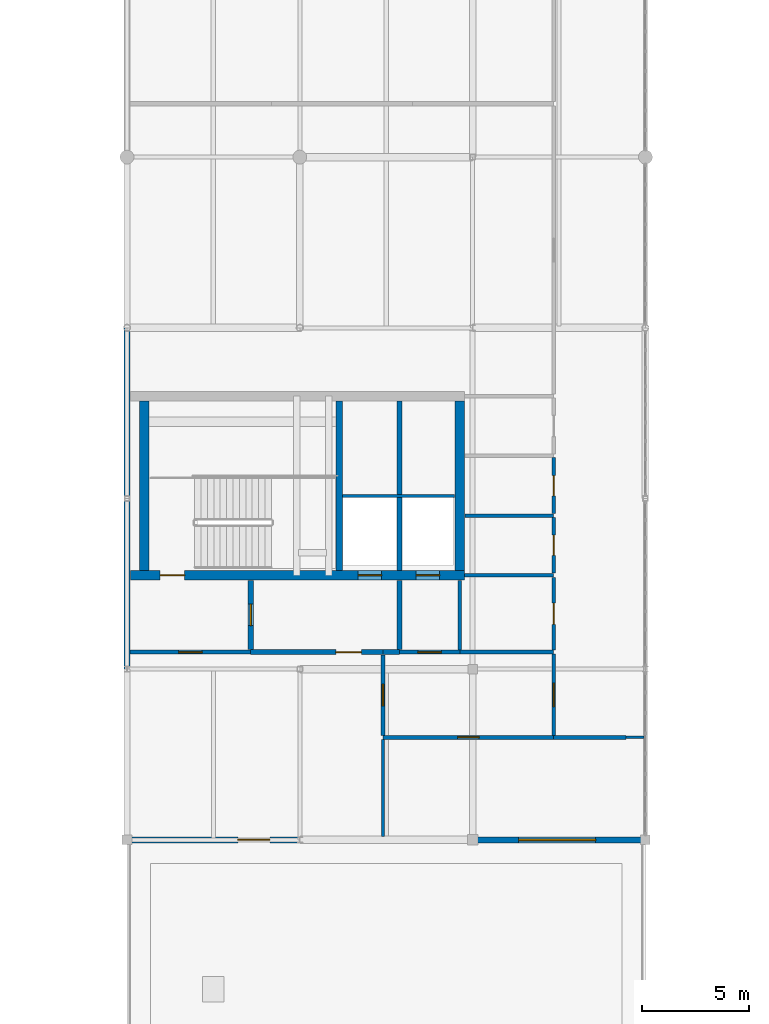
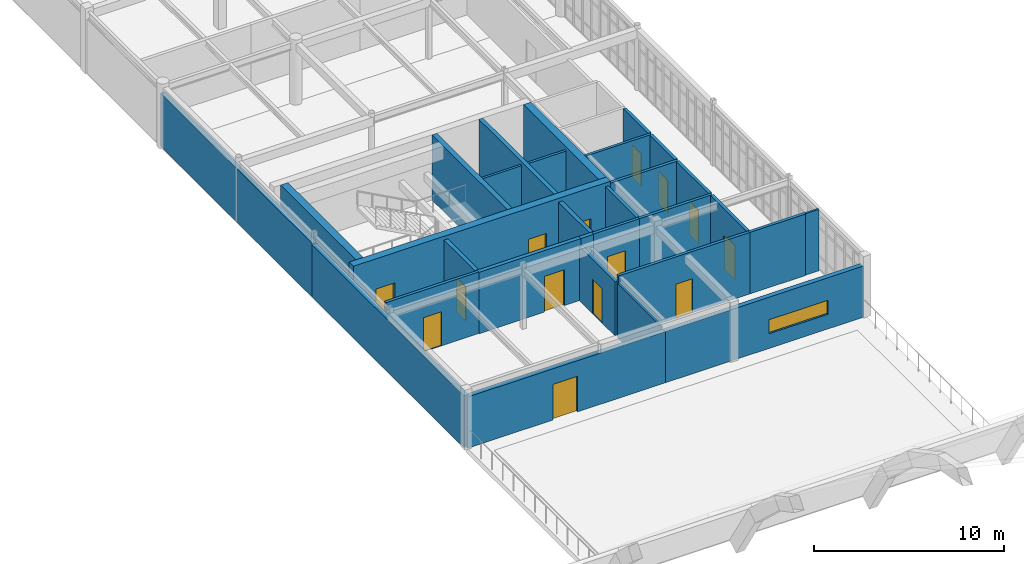
# One storey, part 30 of 36: 29 walls, 14 doors, 1 window, 15 openings.
"""IFC4 building model written with IfcOpenShell, lengths in metres."""

from ifc_helpers import new_model, si_unit, direction, frame, frame_2d, origin, place, context, subcontext, project, spatial, rectangle, extrude, material, layer, layer_set, type_object, element, fill, save


model = new_model("IFC4")

# Units and contexts
model_context = context("Model", 3, precision=1e-05, world=origin(), true_north=direction((0.0, 1.0)))
body_context = subcontext(model_context, "Body", "Model", "MODEL_VIEW")
ifc_project = project(units=[si_unit("LENGTHUNIT", "METRE"), si_unit("AREAUNIT", "SQUARE_METRE"), si_unit("VOLUMEUNIT", "CUBIC_METRE"), si_unit("PLANEANGLEUNIT", "RADIAN"), si_unit("MASSUNIT", "GRAM", prefix="KILO")], contexts=[model_context])

# Site, building, storey
site_placement = place(None, origin())
site = spatial("IfcSite", under=ifc_project, at=site_placement, CompositionType="ELEMENT")
building_placement = place(site_placement, origin())
building = spatial("IfcBuilding", under=site, at=building_placement, Name="Tarnveldt Square Police Headquarters", CompositionType="ELEMENT")
storey_placement = place(building_placement, frame((0.0, 0.0, 24.89990234375)))
storey = spatial("IfcBuildingStorey", under=building, at=storey_placement, Name="L05", CompositionType="ELEMENT", Elevation=24.89990234375)

# Wall, openings, doors
ifc_material_1 = material(Name="Concrete 50 MPa", Category="concrete")
ifc_layer_1 = layer(ifc_material_1, 0.449951171875)
ifc_layer_set_1 = layer_set([ifc_layer_1], Name="Concrete 50 MPa")
wall_type_1 = type_object("IfcWallType", Name="WL-CORE-450", PredefinedType="SHEAR", material=ifc_layer_set_1)
wall_1_placement = place(storey_placement, frame((16.360107421875, 60.39990234375, 0.0), z_axis=(0.0, 0.0, 1.0), x_axis=(1.0, 0.0, 0.0)))
wall_1 = element("IfcWall", 1, at=wall_1_placement, inside=storey, type_object=wall_type_1, Name="Core K1 South-West Command and Firefighting Core L05 South Shear Wall", PredefinedType="SHEAR", context=body_context, shape_type="SweptSolid", body=[
    extrude(rectangle(XDim=15.664794921875, YDim=0.449951171875, at=frame_2d((7.83251953125, 0.0))), origin(), (0.0, 0.0, 1.0), 4.2001953125),
])
opening_1_placement = place(wall_1_placement, frame((1.389892578125, 0.0, 0.0)))
opening_1 = element("IfcOpeningElement", 2, at=opening_1_placement, cuts=wall_1, Name="Opening D-ST1-L05", PredefinedType="OPENING", context=body_context, shape_type="SweptSolid", body=[
    extrude(rectangle(XDim=1.14990234375, YDim=2.25, at=frame_2d((0.574951171875, 1.125))), frame((0.0, 0.23486328125, 0.0), z_axis=(0.0, -1.0, 0.0), x_axis=(1.0, 0.0, 0.0)), (0.0, 0.0, 1.0), 0.469970703125),
])
opening_2_placement = place(wall_1_placement, frame((10.672607421875, 0.0, 0.0)))
opening_2 = element("IfcOpeningElement", 3, at=opening_2_placement, cuts=wall_1, Name="Opening LD-LF1-L05", PredefinedType="OPENING", context=body_context, shape_type="SweptSolid", body=[
    extrude(rectangle(XDim=1.10009765625, YDim=2.199951171875, at=frame_2d((0.550048828125, 1.10009765625))), frame((0.0, 0.23486328125, 0.0), z_axis=(0.0, -1.0, 0.0), x_axis=(1.0, 0.0, 0.0)), (0.0, 0.0, 1.0), 0.469970703125),
])
opening_3_placement = place(wall_1_placement, frame((13.387451171875, 0.0, 0.0)))
opening_3 = element("IfcOpeningElement", 4, at=opening_3_placement, cuts=wall_1, Name="Opening LD-LP1-L05", PredefinedType="OPENING", context=body_context, shape_type="SweptSolid", body=[
    extrude(rectangle(XDim=1.10009765625, YDim=2.199951171875, at=frame_2d((0.550048828125, 1.10009765625))), frame((0.0, 0.23486328125, 0.0), z_axis=(0.0, -1.0, 0.0), x_axis=(1.0, 0.0, 0.0)), (0.0, 0.0, 1.0), 0.469970703125),
])
ifc_material_2 = material(Name="Insulated hollow metal steel door leaf", Category="steel")
door_type_1 = type_object("IfcDoorType", Name="DR-FD90-1150", OperationType="NOTDEFINED", PredefinedType="DOOR", material=ifc_material_2)
door_1_placement = place(opening_1_placement, origin())
door_1 = element("IfcDoor", 5, at=door_1_placement, inside=storey, type_object=door_type_1, Name="Exit Stair ST1 L05 Fire Door", OperationType="SINGLE_SWING_LEFT", OverallHeight=2.25, OverallWidth=1.14990234375, PredefinedType="DOOR", context=body_context, shape_type="SweptSolid", body=[
    extrude(rectangle(XDim=1.14990234375, YDim=2.25, at=frame_2d((0.574951171875, 1.125))), frame((0.0, 0.02490234375, 0.0), z_axis=(0.0, -1.0, 0.0), x_axis=(1.0, 0.0, 0.0)), (0.0, 0.0, 1.0), 0.050048828125),
])
fill(opening_1, door_1)
ifc_material_3 = material(Name="Steel 350W", Category="steel")
door_type_2 = type_object("IfcDoorType", Name="DR-LD-1100", OperationType="DOUBLE_DOOR_SLIDING", PredefinedType="DOOR", material=ifc_material_3)
door_2_placement = place(opening_2_placement, frame((1.10009765625, 0.0, 0.0), z_axis=(0.0, 0.0, 1.0), x_axis=(-1.0, 0.0, 0.0)))
door_2 = element("IfcDoor", 6, at=door_2_placement, inside=storey, type_object=door_type_2, Name="Elevator LF1 L05 Sliding Landing Door", OperationType="DOUBLE_DOOR_SLIDING", OverallHeight=2.199951171875, OverallWidth=1.10009765625, PredefinedType="DOOR", context=body_context, shape_type="SweptSolid", body=[
    extrude(rectangle(XDim=1.10009765625, YDim=2.199951171875, at=frame_2d((0.550048828125, 1.10009765625))), frame((0.0, 0.02490234375, 0.0), z_axis=(0.0, -1.0, 0.0), x_axis=(1.0, 0.0, 0.0)), (0.0, 0.0, 1.0), 0.050048828125),
])
fill(opening_2, door_2)
door_3_placement = place(opening_3_placement, frame((1.10009765625, 0.0, 0.0), z_axis=(0.0, 0.0, 1.0), x_axis=(-1.0, 0.0, 0.0)))
door_3 = element("IfcDoor", 7, at=door_3_placement, inside=storey, type_object=door_type_2, Name="Elevator LP1 L05 Sliding Landing Door", OperationType="DOUBLE_DOOR_SLIDING", OverallHeight=2.199951171875, OverallWidth=1.10009765625, PredefinedType="DOOR", context=body_context, shape_type="SweptSolid", body=[
    extrude(rectangle(XDim=1.10009765625, YDim=2.199951171875, at=frame_2d((0.550048828125, 1.10009765625))), frame((0.0, 0.02490234375, 0.0), z_axis=(0.0, -1.0, 0.0), x_axis=(1.0, 0.0, 0.0)), (0.0, 0.0, 1.0), 0.050048828125),
])
fill(opening_3, door_3)

# Walls
for number, where, z_axis, x_axis, name in (
    (8, (17.0, 60.625, 0.0), (0.0, 0.0, 1.0), (0.0, 1.0, 0.0), "Core K1 South-West Command and Firefighting Core L05 West Shear Wall"),
    (9, (31.800048828125, 60.625, 0.0), (0.0, 0.0, 1.0), (0.0, 1.0, 0.0), "Core K1 South-West Command and Firefighting Core L05 East Shear Wall"),
):
    element("IfcWall", number, at=place(storey_placement, frame(where, z_axis=z_axis, x_axis=x_axis)), inside=storey, type_object=wall_type_1, Name=name, PredefinedType="SHEAR", context=body_context, shape_type="SweptSolid", body=[
        extrude(rectangle(XDim=7.949951171875, YDim=0.449951171875, at=frame_2d((3.97509765625, 0.0))), origin(), (0.0, 0.0, 1.0), 4.2001953125),
    ])
wall_2_placement = place(storey_placement, frame((26.14990234375, 60.625, 0.0), z_axis=(0.0, 0.0, 1.0), x_axis=(0.0, 1.0, 0.0)))
element("IfcWall", 10, at=wall_2_placement, inside=storey, type_object=wall_type_1, Name="Core K1 South-West Command and Firefighting Core L05 Stair-Lift Divider Shear Wall", PredefinedType="SHEAR", context=body_context, shape_type="SweptSolid", body=[
    extrude(rectangle(XDim=7.949951171875, YDim=0.300048828125, at=frame_2d((3.97509765625, 0.0))), origin(), (0.0, 0.0, 1.0), 4.2001953125),
])
wall_3_placement = place(storey_placement, frame((28.97509765625, 60.625, 0.0), z_axis=(0.0, 0.0, 1.0), x_axis=(0.0, 1.0, 0.0)))
element("IfcWall", 11, at=wall_3_placement, inside=storey, type_object=wall_type_1, Name="Core K1 South-West Command and Firefighting Core L05 Dual-Lift Shaft Divider Wall", PredefinedType="SHEAR", context=body_context, shape_type="SweptSolid", body=[
    extrude(rectangle(XDim=7.949951171875, YDim=0.25, at=frame_2d((3.97509765625, 0.0))), origin(), (0.0, 0.0, 1.0), 4.2001953125),
])
ifc_material_4 = material(Name="Precast concrete 35 MPa", Category="concrete")
ifc_layer_2 = layer(ifc_material_4, 0.280029296875)
ifc_layer_set_2 = layer_set([ifc_layer_2], Name="Precast concrete 35 MPa")
wall_type_2 = type_object("IfcWallType", Name="WL-EXT-PC280", PredefinedType="SOLIDWALL", material=ifc_layer_set_2)
wall_4_placement = place(storey_placement, frame((16.199951171875, 80.0, 0.0), z_axis=(0.0, 0.0, 1.0), x_axis=(0.0, -1.0, 0.0)))
element("IfcWall", 12, at=wall_4_placement, inside=storey, type_object=wall_type_2, Name="L05 Brutalist Exterior Wall 0225", PredefinedType="SOLIDWALL", context=body_context, shape_type="SweptSolid", body=[
    extrude(rectangle(XDim=16.0, YDim=0.280029296875, at=frame_2d((8.0, 0.0))), origin(), (0.0, 0.0, 1.0), 3.4521484375),
])
wall_5_placement = place(storey_placement, frame((16.199951171875, 64.0, 0.0), z_axis=(0.0, 0.0, 1.0), x_axis=(0.0, -1.0, 0.0)))
element("IfcWall", 13, at=wall_5_placement, inside=storey, type_object=wall_type_2, Name="L05 Brutalist Exterior Wall 0226", PredefinedType="SOLIDWALL", context=body_context, shape_type="SweptSolid", body=[
    extrude(rectangle(XDim=16.0, YDim=0.280029296875, at=frame_2d((8.0, 0.0))), origin(), (0.0, 0.0, 1.0), 3.35205078125),
])

# Wall, opening, door
wall_6_placement = place(storey_placement, frame((16.199951171875, 48.0, 0.0), z_axis=(0.0, 0.0, 1.0), x_axis=(1.0, 0.0, 0.0)))
wall_6 = element("IfcWall", 14, at=wall_6_placement, inside=storey, type_object=wall_type_2, Name="L05 Brutalist Exterior Wall 0227", PredefinedType="SOLIDWALL", context=body_context, shape_type="SweptSolid", body=[
    extrude(rectangle(XDim=12.06005859375, YDim=0.280029296875, at=frame_2d((6.030029296875, 0.0))), origin(), (0.0, 0.0, 1.0), 3.302001953125),
])
opening_4_placement = place(wall_6_placement, frame((5.199951171875, 0.0, 0.0)))
opening_4 = element("IfcOpeningElement", 15, at=opening_4_placement, cuts=wall_6, Name="Opening DT3", PredefinedType="OPENING", context=body_context, shape_type="SweptSolid", body=[
    extrude(rectangle(XDim=1.5, YDim=2.300048828125, at=frame_2d((0.75, 1.14990234375))), frame((0.0, 0.14990234375, 0.0), z_axis=(0.0, -1.0, 0.0), x_axis=(1.0, 0.0, 0.0)), (0.0, 0.0, 1.0), 0.300048828125),
])
ifc_material_5 = material(Name="Thermally broken anodised aluminium 6063-T6", Category="aluminium")
door_type_3 = type_object("IfcDoorType", Name="DR-TER-1500", OperationType="DOUBLE_DOOR_SINGLE_SWING", PredefinedType="DOOR", material=ifc_material_5)
door_4_placement = place(opening_4_placement, frame((1.5, 0.0, 0.0), z_axis=(0.0, 0.0, 1.0), x_axis=(-1.0, 0.0, 0.0)))
door_4 = element("IfcDoor", 16, at=door_4_placement, inside=storey, type_object=door_type_3, Name="South-West Operations Setback Terrace Access Door", OperationType="DOUBLE_DOOR_SINGLE_SWING", OverallHeight=2.300048828125, OverallWidth=1.5, PredefinedType="DOOR", context=body_context, shape_type="SweptSolid", body=[
    extrude(rectangle(XDim=1.5, YDim=2.300048828125, at=frame_2d((0.75, 1.14990234375))), frame((0.0, 0.02490234375, 0.0), z_axis=(0.0, -1.0, 0.0), x_axis=(1.0, 0.0, 0.0)), (0.0, 0.0, 1.0), 0.050048828125),
])
fill(opening_4, door_4)

# Wall, opening, window
wall_7_placement = place(storey_placement, frame((28.260009765625, 48.0, 0.0), z_axis=(0.0, 0.0, 1.0), x_axis=(1.0, 0.0, 0.0)))
wall_7 = element("IfcWall", 17, at=wall_7_placement, inside=storey, type_object=wall_type_2, Name="L05 Brutalist Exterior Wall 0228", PredefinedType="SOLIDWALL", context=body_context, shape_type="SweptSolid", body=[
    extrude(rectangle(XDim=12.06005859375, YDim=0.280029296875, at=frame_2d((6.030029296875, 0.0))), origin(), (0.0, 0.0, 1.0), 3.302001953125),
])
opening_5_placement = place(wall_7_placement, frame((6.300048828125, 0.0, 0.949951171875)))
opening_5 = element("IfcOpeningElement", 18, at=opening_5_placement, cuts=wall_7, Name="Opening W23", PredefinedType="OPENING", context=body_context, shape_type="SweptSolid", body=[
    extrude(rectangle(XDim=3.60009765625, YDim=0.89990234375, at=frame_2d((1.800048828125, 0.449951171875))), frame((0.0, 0.14990234375, 0.0), z_axis=(0.0, -1.0, 0.0), x_axis=(1.0, 0.0, 0.0)), (0.0, 0.0, 1.0), 0.300048828125),
])
ifc_material_6 = material(Name="Triple-glazed low-e laminated vision glass", Category="glass")
window_type = type_object("IfcWindowType", Name="WIN-CLR-360x090", PartitioningType="TRIPLE_PANEL_VERTICAL", PredefinedType="WINDOW", material=ifc_material_6)
window_placement = place(opening_5_placement, origin())
window = element("IfcWindow", 19, at=window_placement, inside=storey, type_object=window_type, Name="L05 Deep-Reveal Brutalist Window 0119", OverallHeight=0.89990234375, OverallWidth=3.60009765625, PartitioningType="TRIPLE_PANEL_VERTICAL", PredefinedType="WINDOW", context=body_context, shape_type="SweptSolid", body=[
    extrude(rectangle(XDim=3.60009765625, YDim=0.89990234375, at=frame_2d((1.800048828125, 0.449951171875))), frame((0.0, 0.030029296875, 0.0), z_axis=(0.0, -1.0, 0.0), x_axis=(1.0, 0.0, 0.0)), (0.0, 0.0, 1.0), 0.06005859375),
])
fill(opening_5, window)

# Wall, opening, door
ifc_material_7 = material(Name="Fire-rated Type X gypsum board on steel studs", Category="steel")
ifc_layer_3 = layer(ifc_material_7, 0.179931640625)
ifc_layer_set_3 = layer_set([ifc_layer_3], Name="Fire-rated Type X gypsum board on steel studs")
wall_type_3 = type_object("IfcWallType", Name="WL-FIRE-180", PredefinedType="PARTITIONING", material=ifc_layer_set_3)
wall_8_placement = place(storey_placement, frame((16.347900390625, 56.800048828125, 0.0), z_axis=(0.0, 0.0, 1.0), x_axis=(1.0, 0.0, 0.0)))
wall_8 = element("IfcWall", 20, at=wall_8_placement, inside=storey, type_object=wall_type_3, Name="L05 Interior Partition Wall 0602", PredefinedType="PARTITIONING", context=body_context, shape_type="SweptSolid", body=[
    extrude(rectangle(XDim=5.652099609375, YDim=0.179931640625, at=frame_2d((2.826171875, 0.0))), origin(), (0.0, 0.0, 1.0), 3.960205078125),
])
opening_6_placement = place(wall_8_placement, frame((2.27587890625, 0.0, 0.0)))
opening_6 = element("IfcOpeningElement", 21, at=opening_6_placement, cuts=wall_8, Name="Opening D15", PredefinedType="OPENING", context=body_context, shape_type="SweptSolid", body=[
    extrude(rectangle(XDim=1.10009765625, YDim=2.199951171875, at=frame_2d((0.550048828125, 1.10009765625))), frame((0.0, 0.099853515625, 0.0), z_axis=(0.0, -1.0, 0.0), x_axis=(1.0, 0.0, 0.0)), (0.0, 0.0, 1.0), 0.199951171875),
])
door_type_4 = type_object("IfcDoorType", Name="DR-FD60-1100", OperationType="NOTDEFINED", PredefinedType="DOOR", material=ifc_material_2)
door_5_placement = place(opening_6_placement, frame((1.10009765625, 0.0, 0.0), z_axis=(0.0, 0.0, 1.0), x_axis=(-1.0, 0.0, 0.0)))
door_5 = element("IfcDoor", 22, at=door_5_placement, inside=storey, type_object=door_type_4, Name="Core Stair Lobby K1-L05 Door", OperationType="SINGLE_SWING_LEFT", OverallHeight=2.199951171875, OverallWidth=1.10009765625, PredefinedType="DOOR", context=body_context, shape_type="SweptSolid", body=[
    extrude(rectangle(XDim=1.10009765625, YDim=2.199951171875, at=frame_2d((0.550048828125, 1.10009765625))), frame((0.0, 0.02490234375, 0.0), z_axis=(0.0, -1.0, 0.0), x_axis=(1.0, 0.0, 0.0)), (0.0, 0.0, 1.0), 0.050048828125),
])
fill(opening_6, door_5)

wall_9_placement = place(storey_placement, frame((28.199951171875, 52.800048828125, 0.0), z_axis=(0.0, 0.0, 1.0), x_axis=(1.0, 0.0, 0.0)))
wall_9 = element("IfcWall", 23, at=wall_9_placement, inside=storey, type_object=wall_type_3, Name="L05 Interior Partition Wall 0609", PredefinedType="PARTITIONING", context=body_context, shape_type="SweptSolid", body=[
    extrude(rectangle(XDim=8.0, YDim=0.179931640625, at=frame_2d((4.0, 0.0))), origin(), (0.0, 0.0, 1.0), 3.960205078125),
])
opening_7_placement = place(wall_9_placement, frame((3.5, 0.0, 0.0)))
opening_7 = element("IfcOpeningElement", 24, at=opening_7_placement, cuts=wall_9, Name="Opening D05", PredefinedType="OPENING", context=body_context, shape_type="SweptSolid", body=[
    extrude(rectangle(XDim=1.0, YDim=2.199951171875, at=frame_2d((0.5, 1.10009765625))), frame((0.0, 0.099853515625, 0.0), z_axis=(0.0, -1.0, 0.0), x_axis=(1.0, 0.0, 0.0)), (0.0, 0.0, 1.0), 0.199951171875),
])
ifc_material_8 = material(Name="Solid core architectural birch door leaf", Category="wood")
door_type_5 = type_object("IfcDoorType", Name="DR-INT-1000", OperationType="NOTDEFINED", PredefinedType="DOOR", material=ifc_material_8)
door_6_placement = place(opening_7_placement, frame((1.0, 0.0, 0.0), z_axis=(0.0, 0.0, 1.0), x_axis=(-1.0, 0.0, 0.0)))
door_6 = element("IfcDoor", 25, at=door_6_placement, inside=storey, type_object=door_type_5, Name="Major Crimes Case Reading Room L05 Door", OperationType="SINGLE_SWING_LEFT", OverallHeight=2.199951171875, OverallWidth=1.0, PredefinedType="DOOR", context=body_context, shape_type="SweptSolid", body=[
    extrude(rectangle(XDim=1.0, YDim=2.199951171875, at=frame_2d((0.5, 1.10009765625))), frame((0.0, 0.02490234375, 0.0), z_axis=(0.0, -1.0, 0.0), x_axis=(1.0, 0.0, 0.0)), (0.0, 0.0, 1.0), 0.050048828125),
])
fill(opening_7, door_6)

wall_10_placement = place(storey_placement, frame((28.97509765625, 56.800048828125, 0.0), z_axis=(0.0, 0.0, 1.0), x_axis=(1.0, 0.0, 0.0)))
wall_10 = element("IfcWall", 26, at=wall_10_placement, inside=storey, type_object=wall_type_3, Name="L05 Interior Partition Wall 0611", PredefinedType="PARTITIONING", context=body_context, shape_type="SweptSolid", body=[
    extrude(rectangle(XDim=2.824951171875, YDim=0.179931640625, at=frame_2d((1.41259765625, 0.0))), origin(), (0.0, 0.0, 1.0), 3.960205078125),
])
opening_8_placement = place(wall_10_placement, frame((0.862548828125, 0.0, 0.0)))
opening_8 = element("IfcOpeningElement", 27, at=opening_8_placement, cuts=wall_10, Name="Opening D15", PredefinedType="OPENING", context=body_context, shape_type="SweptSolid", body=[
    extrude(rectangle(XDim=1.10009765625, YDim=2.199951171875, at=frame_2d((0.550048828125, 1.10009765625))), frame((0.0, 0.099853515625, 0.0), z_axis=(0.0, -1.0, 0.0), x_axis=(1.0, 0.0, 0.0)), (0.0, 0.0, 1.0), 0.199951171875),
])
door_7_placement = place(opening_8_placement, frame((1.10009765625, 0.0, 0.0), z_axis=(0.0, 0.0, 1.0), x_axis=(-1.0, 0.0, 0.0)))
door_7 = element("IfcDoor", 28, at=door_7_placement, inside=storey, type_object=door_type_4, Name="Passenger Lift Lobby K1-L05 Door", OperationType="SINGLE_SWING_RIGHT", OverallHeight=2.199951171875, OverallWidth=1.10009765625, PredefinedType="DOOR", context=body_context, shape_type="SweptSolid", body=[
    extrude(rectangle(XDim=1.10009765625, YDim=2.199951171875, at=frame_2d((0.550048828125, 1.10009765625))), frame((0.0, 0.02490234375, 0.0), z_axis=(0.0, -1.0, 0.0), x_axis=(1.0, 0.0, 0.0)), (0.0, 0.0, 1.0), 0.050048828125),
])
fill(opening_8, door_7)

# Walls
wall_11_placement = place(storey_placement, frame((31.800048828125, 56.800048828125, 0.0), z_axis=(0.0, 0.0, 1.0), x_axis=(1.0, 0.0, 0.0)))
element("IfcWall", 29, at=wall_11_placement, inside=storey, type_object=wall_type_3, Name="L05 Interior Partition Wall 0614", PredefinedType="PARTITIONING", context=body_context, shape_type="SweptSolid", body=[
    extrude(rectangle(XDim=4.39990234375, YDim=0.179931640625, at=frame_2d((2.199951171875, 0.0))), origin(), (0.0, 0.0, 1.0), 3.960205078125),
])
wall_12_placement = place(storey_placement, frame((32.02490234375, 60.39990234375, 0.0), z_axis=(0.0, 0.0, 1.0), x_axis=(1.0, 0.0, 0.0)))
element("IfcWall", 30, at=wall_12_placement, inside=storey, type_object=wall_type_3, Name="L05 Interior Partition Wall 0615", PredefinedType="PARTITIONING", context=body_context, shape_type="SweptSolid", body=[
    extrude(rectangle(XDim=4.175048828125, YDim=0.179931640625, at=frame_2d((2.08740234375, 0.0))), origin(), (0.0, 0.0, 1.0), 3.960205078125),
])
wall_13_placement = place(storey_placement, frame((36.199951171875, 52.800048828125, 0.0), z_axis=(0.0, 0.0, 1.0), x_axis=(1.0, 0.0, 0.0)))
element("IfcWall", 31, at=wall_13_placement, inside=storey, type_object=wall_type_3, Name="L05 Interior Partition Wall 0619", PredefinedType="PARTITIONING", context=body_context, shape_type="SweptSolid", body=[
    extrude(rectangle(XDim=3.400146484375, YDim=0.179931640625, at=frame_2d((1.7001953125, 0.0))), origin(), (0.0, 0.0, 1.0), 3.960205078125),
])

# Wall, opening, door
wall_14_placement = place(storey_placement, frame((28.199951171875, 52.89794921875, 0.0), z_axis=(0.0, 0.0, 1.0), x_axis=(0.0, 1.0, 0.0)))
wall_14 = element("IfcWall", 32, at=wall_14_placement, inside=storey, type_object=wall_type_3, Name="L05 Interior Partition Wall 0629", PredefinedType="PARTITIONING", context=body_context, shape_type="SweptSolid", body=[
    extrude(rectangle(XDim=3.774169921875, YDim=0.179931640625, at=frame_2d((1.88720703125, 0.0))), origin(), (0.0, 0.0, 1.0), 3.498046875),
])
opening_9_placement = place(wall_14_placement, frame((1.386962890625, 0.0, 0.0)))
opening_9 = element("IfcOpeningElement", 33, at=opening_9_placement, cuts=wall_14, Name="Opening D05", PredefinedType="OPENING", context=body_context, shape_type="SweptSolid", body=[
    extrude(rectangle(XDim=1.0, YDim=2.199951171875, at=frame_2d((0.5, 1.10009765625))), frame((0.0, 0.099853515625, 0.0), z_axis=(0.0, -1.0, 0.0), x_axis=(1.0, 0.0, 0.0)), (0.0, 0.0, 1.0), 0.199951171875),
])
door_8_placement = place(opening_9_placement, origin())
door_8 = element("IfcDoor", 34, at=door_8_placement, inside=storey, type_object=door_type_5, Name="Investigators Terrace Break Lounge L05 Door", OperationType="SINGLE_SWING_RIGHT", OverallHeight=2.199951171875, OverallWidth=1.0, PredefinedType="DOOR", context=body_context, shape_type="SweptSolid", body=[
    extrude(rectangle(XDim=1.0, YDim=2.199951171875, at=frame_2d((0.5, 1.10009765625))), frame((0.0, 0.02490234375, 0.0), z_axis=(0.0, -1.0, 0.0), x_axis=(1.0, 0.0, 0.0)), (0.0, 0.0, 1.0), 0.050048828125),
])
fill(opening_9, door_8)

# Wall
wall_15_placement = place(storey_placement, frame((31.800048828125, 56.89794921875, 0.0), z_axis=(0.0, 0.0, 1.0), x_axis=(0.0, 1.0, 0.0)))
element("IfcWall", 35, at=wall_15_placement, inside=storey, type_object=wall_type_3, Name="L05 Interior Partition Wall 0633", PredefinedType="PARTITIONING", context=body_context, shape_type="SweptSolid", body=[
    extrude(rectangle(XDim=3.26904296875, YDim=0.179931640625, at=frame_2d((1.634521484375, 0.0))), origin(), (0.0, 0.0, 1.0), 3.960205078125),
])

# Wall, opening, door
wall_16_placement = place(storey_placement, frame((36.199951171875, 52.89794921875, 0.0), z_axis=(0.0, 0.0, 1.0), x_axis=(0.0, 1.0, 0.0)))
wall_16 = element("IfcWall", 36, at=wall_16_placement, inside=storey, type_object=wall_type_3, Name="L05 Interior Partition Wall 0634", PredefinedType="PARTITIONING", context=body_context, shape_type="SweptSolid", body=[
    extrude(rectangle(XDim=3.803955078125, YDim=0.179931640625, at=frame_2d((1.90185546875, 0.0))), origin(), (0.0, 0.0, 1.0), 3.960205078125),
])
opening_10_placement = place(wall_16_placement, frame((1.35205078125, 0.0, 0.0)))
opening_10 = element("IfcOpeningElement", 37, at=opening_10_placement, cuts=wall_16, Name="Opening D15", PredefinedType="OPENING", context=body_context, shape_type="SweptSolid", body=[
    extrude(rectangle(XDim=1.10009765625, YDim=2.199951171875, at=frame_2d((0.550048828125, 1.10009765625))), frame((0.0, 0.099853515625, 0.0), z_axis=(0.0, -1.0, 0.0), x_axis=(1.0, 0.0, 0.0)), (0.0, 0.0, 1.0), 0.199951171875),
])
door_9_placement = place(opening_10_placement, origin())
door_9 = element("IfcDoor", 38, at=door_9_placement, inside=storey, type_object=door_type_4, Name="Core K1 South Link Corridor L05 Door", OperationType="SINGLE_SWING_LEFT", OverallHeight=2.199951171875, OverallWidth=1.10009765625, PredefinedType="DOOR", context=body_context, shape_type="SweptSolid", body=[
    extrude(rectangle(XDim=1.10009765625, YDim=2.199951171875, at=frame_2d((0.550048828125, 1.10009765625))), frame((0.0, 0.02490234375, 0.0), z_axis=(0.0, -1.0, 0.0), x_axis=(1.0, 0.0, 0.0)), (0.0, 0.0, 1.0), 0.050048828125),
])
fill(opening_10, door_9)

wall_17_placement = place(storey_placement, frame((36.199951171875, 56.89794921875, 0.0), z_axis=(0.0, 0.0, 1.0), x_axis=(0.0, 1.0, 0.0)))
wall_17 = element("IfcWall", 39, at=wall_17_placement, inside=storey, type_object=wall_type_3, Name="L05 Interior Partition Wall 0635", PredefinedType="PARTITIONING", context=body_context, shape_type="SweptSolid", body=[
    extrude(rectangle(XDim=3.404052734375, YDim=0.179931640625, at=frame_2d((1.7021484375, 0.0))), origin(), (0.0, 0.0, 1.0), 3.960205078125),
])
opening_11_placement = place(wall_17_placement, frame((1.201904296875, 0.0, 0.0)))
opening_11 = element("IfcOpeningElement", 40, at=opening_11_placement, cuts=wall_17, Name="Opening D14", PredefinedType="OPENING", context=body_context, shape_type="SweptSolid", body=[
    extrude(rectangle(XDim=1.0, YDim=2.14990234375, at=frame_2d((0.5, 1.074951171875))), frame((0.0, 0.099853515625, 0.0), z_axis=(0.0, -1.0, 0.0), x_axis=(1.0, 0.0, 0.0)), (0.0, 0.0, 1.0), 0.199951171875),
])
door_type_6 = type_object("IfcDoorType", Name="DR-FD60-1000", OperationType="NOTDEFINED", PredefinedType="DOOR", material=ifc_material_2)
door_10_placement = place(opening_11_placement, origin())
door_10 = element("IfcDoor", 41, at=door_10_placement, inside=storey, type_object=door_type_6, Name="Electrical Distribution Room L05 Door", OperationType="SINGLE_SWING_RIGHT", OverallHeight=2.14990234375, OverallWidth=1.0, PredefinedType="DOOR", context=body_context, shape_type="SweptSolid", body=[
    extrude(rectangle(XDim=1.0, YDim=2.14990234375, at=frame_2d((0.5, 1.074951171875))), frame((0.0, 0.02490234375, 0.0), z_axis=(0.0, -1.0, 0.0), x_axis=(1.0, 0.0, 0.0)), (0.0, 0.0, 1.0), 0.050048828125),
])
fill(opening_11, door_10)

wall_18_placement = place(storey_placement, frame((36.199951171875, 60.498046875, 0.0), z_axis=(0.0, 0.0, 1.0), x_axis=(0.0, 1.0, 0.0)))
wall_18 = element("IfcWall", 42, at=wall_18_placement, inside=storey, type_object=wall_type_3, Name="L05 Interior Partition Wall 0636", PredefinedType="PARTITIONING", context=body_context, shape_type="SweptSolid", body=[
    extrude(rectangle(XDim=2.614013671875, YDim=0.179931640625, at=frame_2d((1.30712890625, 0.0))), origin(), (0.0, 0.0, 1.0), 3.960205078125),
])
opening_12_placement = place(wall_18_placement, frame((0.83203125, 0.0, 0.0)))
opening_12 = element("IfcOpeningElement", 43, at=opening_12_placement, cuts=wall_18, Name="Opening D02", PredefinedType="OPENING", context=body_context, shape_type="SweptSolid", body=[
    extrude(rectangle(XDim=0.949951171875, YDim=2.10009765625, at=frame_2d((0.47509765625, 1.050048828125))), frame((0.0, 0.099853515625, 0.0), z_axis=(0.0, -1.0, 0.0), x_axis=(1.0, 0.0, 0.0)), (0.0, 0.0, 1.0), 0.199951171875),
])
door_type_7 = type_object("IfcDoorType", Name="DR-WC-950", OperationType="NOTDEFINED", PredefinedType="DOOR", material=ifc_material_8)
door_11_placement = place(opening_12_placement, origin())
door_11 = element("IfcDoor", 44, at=door_11_placement, inside=storey, type_object=door_type_7, Name="Men Washroom L05 Door", OperationType="SINGLE_SWING_LEFT", OverallHeight=2.10009765625, OverallWidth=0.949951171875, PredefinedType="DOOR", context=body_context, shape_type="SweptSolid", body=[
    extrude(rectangle(XDim=0.949951171875, YDim=2.10009765625, at=frame_2d((0.47509765625, 1.050048828125))), frame((0.0, 0.02490234375, 0.0), z_axis=(0.0, -1.0, 0.0), x_axis=(1.0, 0.0, 0.0)), (0.0, 0.0, 1.0), 0.050048828125),
])
fill(opening_12, door_11)

wall_19_placement = place(storey_placement, frame((36.199951171875, 63.2880859375, 0.0), z_axis=(0.0, 0.0, 1.0), x_axis=(0.0, 1.0, 0.0)))
wall_19 = element("IfcWall", 45, at=wall_19_placement, inside=storey, type_object=wall_type_3, Name="L05 Interior Partition Wall 0637", PredefinedType="PARTITIONING", context=body_context, shape_type="SweptSolid", body=[
    extrude(rectangle(XDim=2.6240234375, YDim=0.179931640625, at=frame_2d((1.31201171875, 0.0))), origin(), (0.0, 0.0, 1.0), 3.960205078125),
])
opening_13_placement = place(wall_19_placement, frame((0.8369140625, 0.0, 0.0)))
opening_13 = element("IfcOpeningElement", 46, at=opening_13_placement, cuts=wall_19, Name="Opening D02", PredefinedType="OPENING", context=body_context, shape_type="SweptSolid", body=[
    extrude(rectangle(XDim=0.949951171875, YDim=2.10009765625, at=frame_2d((0.47509765625, 1.050048828125))), frame((0.0, 0.099853515625, 0.0), z_axis=(0.0, -1.0, 0.0), x_axis=(1.0, 0.0, 0.0)), (0.0, 0.0, 1.0), 0.199951171875),
])
door_12_placement = place(opening_13_placement, origin())
door_12 = element("IfcDoor", 47, at=door_12_placement, inside=storey, type_object=door_type_7, Name="Women Washroom L05 Door", OperationType="SINGLE_SWING_RIGHT", OverallHeight=2.10009765625, OverallWidth=0.949951171875, PredefinedType="DOOR", context=body_context, shape_type="SweptSolid", body=[
    extrude(rectangle(XDim=0.949951171875, YDim=2.10009765625, at=frame_2d((0.47509765625, 1.050048828125))), frame((0.0, 0.02490234375, 0.0), z_axis=(0.0, -1.0, 0.0), x_axis=(1.0, 0.0, 0.0)), (0.0, 0.0, 1.0), 0.050048828125),
])
fill(opening_13, door_12)

ifc_material_9 = material(Name="Concrete block masonry 15 MPa", Category="masonry")
ifc_layer_4 = layer(ifc_material_9, 0.239990234375)
ifc_layer_set_4 = layer_set([ifc_layer_4], Name="Concrete block masonry 15 MPa")
wall_type_4 = type_object("IfcWallType", Name="WL-FIRE-240", PredefinedType="PARTITIONING", material=ifc_layer_set_4)
wall_20_placement = place(storey_placement, frame((22.0, 56.800048828125, 0.0), z_axis=(0.0, 0.0, 1.0), x_axis=(1.0, 0.0, 0.0)))
wall_20 = element("IfcWall", 48, at=wall_20_placement, inside=storey, type_object=wall_type_4, Name="L05 Interior Partition Wall 0608", PredefinedType="PARTITIONING", context=body_context, shape_type="SweptSolid", body=[
    extrude(rectangle(XDim=6.199951171875, YDim=0.239990234375, at=frame_2d((3.10009765625, 0.0))), origin(), (0.0, 0.0, 1.0), 3.960205078125),
])
opening_14_placement = place(wall_20_placement, frame((3.988037109375, 0.0, 0.0)))
opening_14 = element("IfcOpeningElement", 49, at=opening_14_placement, cuts=wall_20, Name="Opening D20", PredefinedType="OPENING", context=body_context, shape_type="SweptSolid", body=[
    extrude(rectangle(XDim=1.199951171875, YDim=2.300048828125, at=frame_2d((0.60009765625, 1.14990234375))), frame((0.0, 0.1298828125, 0.0), z_axis=(0.0, -1.0, 0.0), x_axis=(1.0, 0.0, 0.0)), (0.0, 0.0, 1.0), 0.260009765625),
])
door_type_8 = type_object("IfcDoorType", Name="DR-FD90-1200", OperationType="NOTDEFINED", PredefinedType="DOOR", material=ifc_material_2)
door_13_placement = place(opening_14_placement, frame((1.199951171875, 0.0, 0.0), z_axis=(0.0, 0.0, 1.0), x_axis=(-1.0, 0.0, 0.0)))
door_13 = element("IfcDoor", 50, at=door_13_placement, inside=storey, type_object=door_type_8, Name="Firefighting Lift Lobby K1-L05 Door", OperationType="SINGLE_SWING_RIGHT", OverallHeight=2.300048828125, OverallWidth=1.199951171875, PredefinedType="DOOR", context=body_context, shape_type="SweptSolid", body=[
    extrude(rectangle(XDim=1.199951171875, YDim=2.300048828125, at=frame_2d((0.60009765625, 1.14990234375))), frame((0.0, 0.02490234375, 0.0), z_axis=(0.0, -1.0, 0.0), x_axis=(1.0, 0.0, 0.0)), (0.0, 0.0, 1.0), 0.050048828125),
])
fill(opening_14, door_13)

# Wall
wall_21_placement = place(storey_placement, frame((28.199951171875, 56.800048828125, 0.0), z_axis=(0.0, 0.0, 1.0), x_axis=(1.0, 0.0, 0.0)))
element("IfcWall", 51, at=wall_21_placement, inside=storey, type_object=wall_type_4, Name="L05 Interior Partition Wall 0610", PredefinedType="PARTITIONING", context=body_context, shape_type="SweptSolid", body=[
    extrude(rectangle(XDim=0.775146484375, YDim=0.239990234375, at=frame_2d((0.3876953125, 0.0))), origin(), (0.0, 0.0, 1.0), 3.960205078125),
])

# Wall, opening, door
wall_22_placement = place(storey_placement, frame((22.0, 56.927978515625, 0.0), z_axis=(0.0, 0.0, 1.0), x_axis=(0.0, 1.0, 0.0)))
wall_22 = element("IfcWall", 52, at=wall_22_placement, inside=storey, type_object=wall_type_4, Name="L05 Interior Partition Wall 0627", PredefinedType="PARTITIONING", context=body_context, shape_type="SweptSolid", body=[
    extrude(rectangle(XDim=3.239013671875, YDim=0.239990234375, at=frame_2d((1.61962890625, 0.0))), origin(), (0.0, 0.0, 1.0), 3.960205078125),
])
opening_15_placement = place(wall_22_placement, frame((1.119384765625, 0.0, 0.0)))
opening_15 = element("IfcOpeningElement", 53, at=opening_15_placement, cuts=wall_22, Name="Opening D17", PredefinedType="OPENING", context=body_context, shape_type="SweptSolid", body=[
    extrude(rectangle(XDim=1.0, YDim=2.199951171875, at=frame_2d((0.5, 1.10009765625))), frame((0.0, 0.1298828125, 0.0), z_axis=(0.0, -1.0, 0.0), x_axis=(1.0, 0.0, 0.0)), (0.0, 0.0, 1.0), 0.260009765625),
])
door_type_9 = type_object("IfcDoorType", Name="DR-FD90-1000", OperationType="NOTDEFINED", PredefinedType="DOOR", material=ifc_material_2)
door_14_placement = place(opening_15_placement, origin())
door_14 = element("IfcDoor", 54, at=door_14_placement, inside=storey, type_object=door_type_9, Name="Firefighting Lift Lobby K1-L05 Secondary Door", OperationType="SINGLE_SWING_LEFT", OverallHeight=2.199951171875, OverallWidth=1.0, PredefinedType="DOOR", context=body_context, shape_type="SweptSolid", body=[
    extrude(rectangle(XDim=1.0, YDim=2.199951171875, at=frame_2d((0.5, 1.10009765625))), frame((0.0, 0.02490234375, 0.0), z_axis=(0.0, -1.0, 0.0), x_axis=(1.0, 0.0, 0.0)), (0.0, 0.0, 1.0), 0.050048828125),
])
fill(opening_15, door_14)

# Walls
wall_23_placement = place(storey_placement, frame((28.97509765625, 56.927978515625, 0.0), z_axis=(0.0, 0.0, 1.0), x_axis=(0.0, 1.0, 0.0)))
element("IfcWall", 55, at=wall_23_placement, inside=storey, type_object=wall_type_4, Name="L05 Interior Partition Wall 0630", PredefinedType="PARTITIONING", context=body_context, shape_type="SweptSolid", body=[
    extrude(rectangle(XDim=3.239013671875, YDim=0.239990234375, at=frame_2d((1.61962890625, 0.0))), origin(), (0.0, 0.0, 1.0), 3.960205078125),
])
ifc_layer_5 = layer(ifc_material_7, 0.1201171875)
ifc_layer_set_5 = layer_set([ifc_layer_5], Name="Fire-rated Type X gypsum board on steel studs")
wall_type_5 = type_object("IfcWallType", Name="WL-PART-120", PredefinedType="PARTITIONING", material=ifc_layer_set_5)
wall_24_placement = place(storey_placement, frame((39.60009765625, 52.800048828125, 0.0), z_axis=(0.0, 0.0, 1.0), x_axis=(1.0, 0.0, 0.0)))
element("IfcWall", 56, at=wall_24_placement, inside=storey, type_object=wall_type_5, Name="L05 Interior Partition Wall 0621", PredefinedType="PARTITIONING", context=body_context, shape_type="SweptSolid", body=[
    extrude(rectangle(XDim=0.8349609375, YDim=0.1201171875, at=frame_2d((0.41748046875, 0.0))), origin(), (0.0, 0.0, 1.0), 3.960205078125),
])
wall_25_placement = place(storey_placement, frame((28.199951171875, 48.14794921875, 0.0), z_axis=(0.0, 0.0, 1.0), x_axis=(0.0, 1.0, 0.0)))
element("IfcWall", 57, at=wall_25_placement, inside=storey, type_object=wall_type_5, Name="L05 Interior Partition Wall 0628", PredefinedType="PARTITIONING", context=body_context, shape_type="SweptSolid", body=[
    extrude(rectangle(XDim=4.553955078125, YDim=0.1201171875, at=frame_2d((2.27685546875, 0.0))), origin(), (0.0, 0.0, 1.0), 3.498046875),
])
ifc_layer_6 = layer(ifc_material_7, 0.14990234375)
ifc_layer_set_6 = layer_set([ifc_layer_6], Name="Fire-rated Type X gypsum board on steel studs")
wall_type_6 = type_object("IfcWallType", Name="WL-SHAFT-150", PredefinedType="PARTITIONING", material=ifc_layer_set_6)
wall_26_placement = place(storey_placement, frame((26.300048828125, 64.1201171875, 0.0), z_axis=(0.0, 0.0, 1.0), x_axis=(1.0, 0.0, 0.0)))
element("IfcWall", 58, at=wall_26_placement, inside=storey, type_object=wall_type_6, Name="K1 L05 Elevator Shaft Back Wall", PredefinedType="PARTITIONING", context=body_context, shape_type="SweptSolid", body=[
    extrude(rectangle(XDim=5.25, YDim=0.14990234375, at=frame_2d((2.625, 0.0))), origin(), (0.0, 0.0, 1.0), 3.960205078125),
])
ifc_layer_7 = layer(ifc_material_9, 0.159912109375)
ifc_layer_set_7 = layer_set([ifc_layer_7], Name="Concrete block masonry 15 MPa")
wall_type_7 = type_object("IfcWallType", Name="WL-WET-160", PredefinedType="PARTITIONING", material=ifc_layer_set_7)
wall_27_placement = place(storey_placement, frame((32.032958984375, 63.199951171875, 0.0), z_axis=(0.0, 0.0, 1.0), x_axis=(1.0, 0.0, 0.0)))
element("IfcWall", 59, at=wall_27_placement, inside=storey, type_object=wall_type_7, Name="L05 Interior Partition Wall 0616", PredefinedType="PARTITIONING", context=body_context, shape_type="SweptSolid", body=[
    extrude(rectangle(XDim=4.1669921875, YDim=0.159912109375, at=frame_2d((2.08349609375, 0.0))), origin(), (0.0, 0.0, 1.0), 3.960205078125),
])

save(model, "model.ifc")
